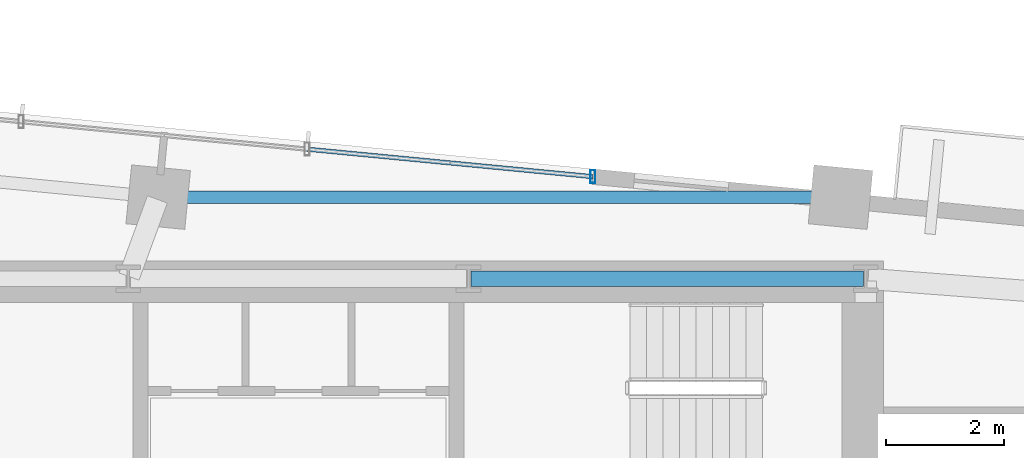
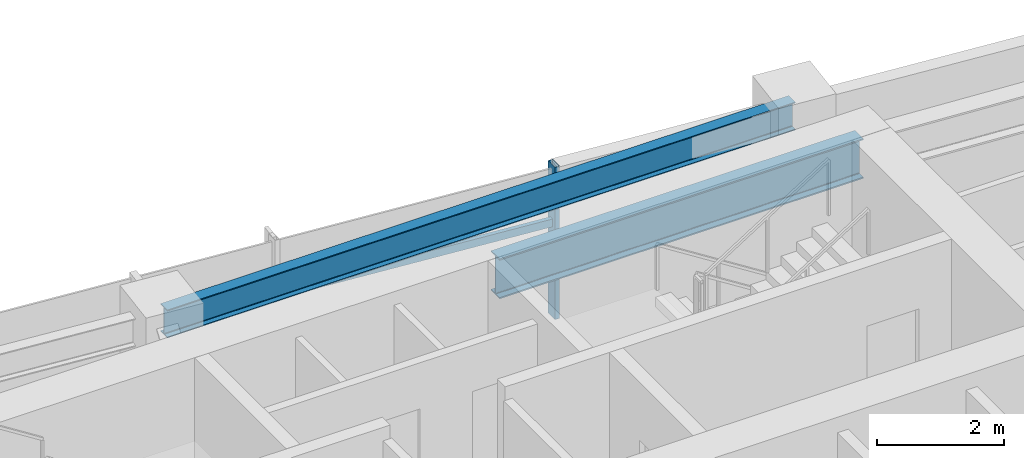
# One storey, part 11 of 19: 2 beams, 2 members, 1 element without a shape of its own.
"""IFC4 building model written with IfcOpenShell, lengths in metres."""

from ifc_helpers import new_model, si_unit, direction, frame, origin, origin_2d, place, context, subcontext, project, spatial, hollow_rectangle, i_section, extrude, source, transform, mapped, material, material_profile, profile_set, type_object, type_shapes, element, aggregate, save


model = new_model("IFC4")

# Units and contexts
model_context = context("Model", 3, precision=1e-05, world=origin(), true_north=direction((0.0, 1.0)))
body_context = subcontext(model_context, "Body", "Model", "MODEL_VIEW")
ifc_project = project(units=[si_unit("LENGTHUNIT", "METRE"), si_unit("AREAUNIT", "SQUARE_METRE"), si_unit("VOLUMEUNIT", "CUBIC_METRE"), si_unit("PLANEANGLEUNIT", "RADIAN"), si_unit("MASSUNIT", "GRAM", prefix="KILO")], contexts=[model_context])

# Site, building, storey
site_placement = place(None, origin())
site = spatial("IfcSite", under=ifc_project, at=site_placement, CompositionType="ELEMENT")
building_placement = place(site_placement, origin())
building = spatial("IfcBuilding", under=site, at=building_placement, Name="Astriad Promenade Condominiums", CompositionType="ELEMENT")
storey_placement = place(building_placement, frame((0.0, 0.0, 124.60009765625)))
storey = spatial("IfcBuildingStorey", under=building, at=storey_placement, Name="L35", CompositionType="ELEMENT", Elevation=124.60009765625)

# Beams
ifc_material_1 = material(Name="Steel ASTM A992 Grade 50", Category="steel")
ifc_material_profile_1 = material_profile(ifc_material_1, i_section(OverallWidth=0.267822265625, OverallDepth=0.76953125, WebThickness=0.015625, FlangeThickness=0.025390625, FilletRadius=0.021484375, at=origin_2d()), Name="W30X132")
ifc_profile_set_1 = profile_set([ifc_material_profile_1], Name="Steel ASTM A992 Grade 50")
beam_type_1 = type_object("IfcBeamType", Name="STEEL FLOOR GIRDER W30X132", PredefinedType="BEAM", material=ifc_profile_set_1)
shared_shape_1 = source(origin(), body_context, "Body", "SweptSolid", [
    extrude(i_section(OverallWidth=0.267822265625, OverallDepth=0.76953125, WebThickness=0.015625, FlangeThickness=0.025390625, FilletRadius=0.021484375, at=origin_2d()), origin(), (0.0, 0.0, 1.0), 6.64013671875),
])
type_shapes(beam_type_1, [shared_shape_1])
beam_1_placement = place(storey_placement, frame((38.919921875, 24.0, 2.55517578125), z_axis=(1.0, 0.0, 0.0), x_axis=(0.0, 1.0, 0.0)))
element("IfcBeam", 1, at=beam_1_placement, inside=storey, type_object=beam_type_1, Name="Core Ring Beam CG-N3-L35", PredefinedType="BEAM", context=body_context, shape_type="MappedRepresentation", body=[
    mapped(shared_shape_1, transform((0.0, 0.0, 0.0), scale=1.0)),
])
ifc_material_profile_2 = material_profile(ifc_material_1, i_section(OverallWidth=0.210693359375, OverallDepth=0.53955078125, WebThickness=0.01171875, FlangeThickness=0.018798828125, FilletRadius=0.0166015625, at=origin_2d()), Name="W21X73")
ifc_profile_set_2 = profile_set([ifc_material_profile_2], Name="Steel ASTM A992 Grade 50")
beam_type_2 = type_object("IfcBeamType", Name="STEEL SPANDREL BEAM W21X73", PredefinedType="SPANDREL", material=ifc_profile_set_2)
shared_shape_2 = source(origin(), body_context, "Body", "SweptSolid", [
    extrude(i_section(OverallWidth=0.210693359375, OverallDepth=0.53955078125, WebThickness=0.01171875, FlangeThickness=0.018798828125, FilletRadius=0.0166015625, at=origin_2d()), origin(), (0.0, 0.0, 1.0), 11.466552734375),
])
type_shapes(beam_type_2, [shared_shape_2])
beam_2_placement = place(storey_placement, frame((45.1328125, 25.3798828125, 2.670166015625), z_axis=(-0.999999999093, 4.258309e-05, 0.0), x_axis=(-4.258309e-05, -0.999999999093, 0.0)))
element("IfcBeam", 2, at=beam_2_placement, inside=storey, type_object=beam_type_2, Name="Perimeter Spandrel Beam SP-N3-L35", PredefinedType="SPANDREL", context=body_context, shape_type="MappedRepresentation", body=[
    mapped(shared_shape_2, transform((0.0, 0.0, 0.0), scale=1.0)),
])

# Curtain wall, members
ifc_material_2 = material(Name="Anodised aluminium Black Dark Glass Unitised", Category="aluminium")
curtain_wall_type = type_object("IfcCurtainWallType", Name="CW-B34-DARK", PredefinedType="USERDEFINED", material=ifc_material_2)
curtain_wall_placement = place(storey_placement, origin())
curtain_wall = element("IfcCurtainWall", 3, at=curtain_wall_placement, inside=storey, type_object=curtain_wall_type, Name="CW-L35-N", ObjectType="UNITISED_CURTAIN_WALL", PredefinedType="USERDEFINED")
ifc_material_3 = material(Name="Anodised aluminium 6063-T6 Black", Category="aluminium")
ifc_material_profile_3 = material_profile(ifc_material_3, hollow_rectangle(XDim=0.0849609375, YDim=0.219970703125, WallThickness=0.0048828125, at=origin_2d()), Name="ALU-MUL-85X220")
ifc_profile_set_3 = profile_set([ifc_material_profile_3], Name="Anodised aluminium 6063-T6 Black")
member_type_1 = type_object("IfcMemberType", Name="MUL-ALU-MUL-85X220", PredefinedType="MULLION", material=ifc_profile_set_3)
shared_shape_3 = source(origin(), body_context, "Body", "SweptSolid", [
    extrude(hollow_rectangle(XDim=0.0849609375, YDim=0.219970703125, WallThickness=0.0048828125, at=origin_2d()), origin(), (0.0, 0.0, 1.0), 2.93994140625),
])
type_shapes(member_type_1, [shared_shape_3])
member_1_placement = place(storey_placement, frame((40.9833984375, 25.726806640625, 0.0), z_axis=(0.0, 0.0, 1.0), x_axis=(1.0, 0.0, 0.0)))
member_1 = element("IfcMember", 4, at=member_1_placement, type_object=member_type_1, Name="CW-L35-N-MUL-03", PredefinedType="MULLION", context=body_context, shape_type="MappedRepresentation", body=[
    mapped(shared_shape_3, transform((0.0, 0.0, 0.0), scale=1.0)),
])
ifc_material_profile_4 = material_profile(ifc_material_3, hollow_rectangle(XDim=0.074951171875, YDim=0.14990234375, WallThickness=0.004150390625, at=origin_2d()), Name="ALU-TRN-75X150")
ifc_profile_set_4 = profile_set([ifc_material_profile_4], Name="Anodised aluminium 6063-T6 Black")
member_type_2 = type_object("IfcMemberType", Name="TRN-ALU-TRN-75X150", PredefinedType="USERDEFINED", material=ifc_profile_set_4)
shared_shape_4 = source(origin(), body_context, "Body", "SweptSolid", [
    extrude(hollow_rectangle(XDim=0.074951171875, YDim=0.14990234375, WallThickness=0.004150390625, at=origin_2d()), origin(), (0.0, 0.0, 1.0), 4.860107421875),
])
type_shapes(member_type_2, [shared_shape_4])
member_2_placement = place(storey_placement, frame((36.145751953125, 26.1923828125, 1.82275390625), z_axis=(0.995400834012, -0.095797597298, 0.0), x_axis=(0.095797597298, 0.995400834012, 0.0)))
member_2 = element("IfcMember", 5, at=member_2_placement, type_object=member_type_2, Name="CW-L35-N-TRN-02-0", ObjectType="TRANSOM", PredefinedType="USERDEFINED", context=body_context, shape_type="MappedRepresentation", body=[
    mapped(shared_shape_4, transform((0.0, 0.0, 0.0), scale=1.0)),
])
aggregate(curtain_wall, [member_1, member_2])

save(model, "model.ifc")
